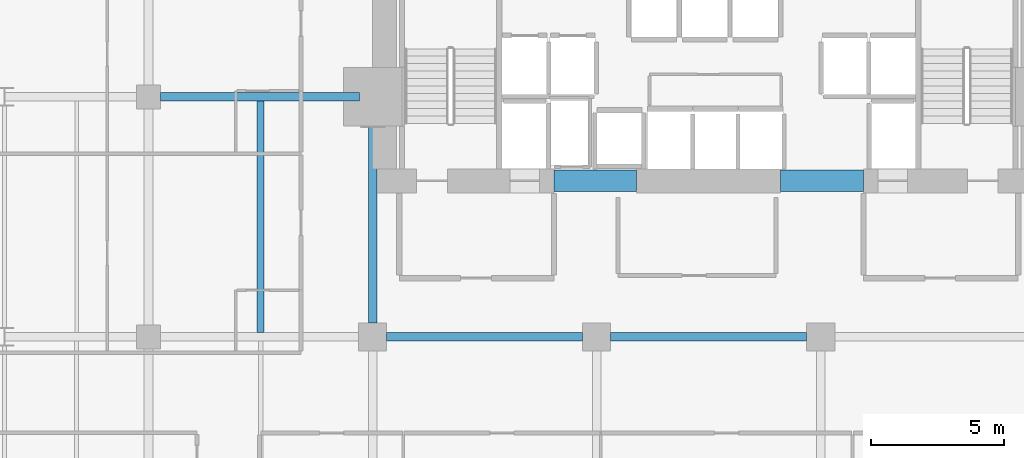
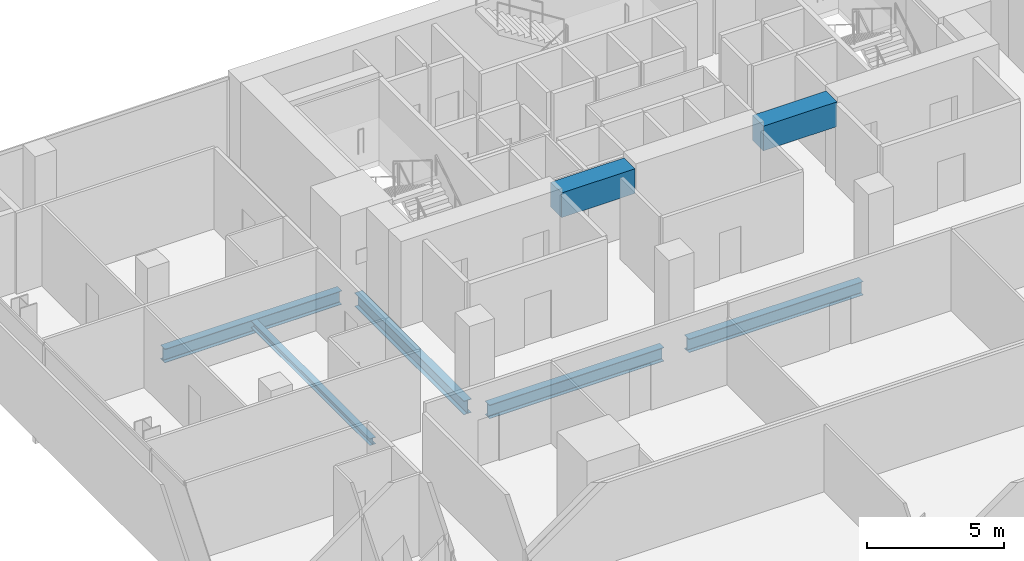
# One storey, part 24 of 40: 7 beams.
"""IFC4 building model written with IfcOpenShell, lengths in metres."""

from ifc_helpers import new_model, si_unit, direction, frame, origin, origin_2d, place, context, subcontext, project, spatial, rectangle, i_section, extrude, material, material_profile, profile_set, type_object, element, save


model = new_model("IFC4")

# Units and contexts
model_context = context("Model", 3, precision=1e-05, world=origin(), true_north=direction((0.0, 1.0)))
body_context = subcontext(model_context, "Body", "Model", "MODEL_VIEW")
ifc_project = project(units=[si_unit("LENGTHUNIT", "METRE"), si_unit("AREAUNIT", "SQUARE_METRE"), si_unit("VOLUMEUNIT", "CUBIC_METRE"), si_unit("PLANEANGLEUNIT", "RADIAN"), si_unit("MASSUNIT", "GRAM", prefix="KILO")], contexts=[model_context])

# Site, building, storey
site_placement = place(None, origin())
site = spatial("IfcSite", under=ifc_project, at=site_placement, CompositionType="ELEMENT")
building_placement = place(site_placement, origin())
building = spatial("IfcBuilding", under=site, at=building_placement, Name="Maruvema Waterfront Hotel and Observation Tower", CompositionType="ELEMENT")
storey_placement = place(building_placement, frame((0.0, 0.0, 100.10009765625)))
storey = spatial("IfcBuildingStorey", under=building, at=storey_placement, Name="L24", CompositionType="ELEMENT", Elevation=100.10009765625)

# Beams
ifc_material_1 = material(Name="Concrete C60/75", Category="concrete")
ifc_material_profile_1 = material_profile(ifc_material_1, rectangle(XDim=0.800048828125, YDim=1.10009765625, at=origin_2d()), Name="CB800x1100")
ifc_profile_set_1 = profile_set([ifc_material_profile_1], Name="Concrete C60/75")
beam_type_1 = type_object("IfcBeamType", Name="Core Coupling Lintel Beam CB800x1100", PredefinedType="LINTEL", material=ifc_profile_set_1)
for number, where, z_axis, x_axis, name in (
    (1, (32.0, 41.85009765625, 3.059814453125), (1.0, 0.0, 0.0), (0.0, 1.0, 0.0), "L24 Core Coupling Lintel Beam West"),
    (2, (40.5, 41.85009765625, 3.059814453125), (1.0, 0.0, 0.0), (0.0, 1.0, 0.0), "L24 Core Coupling Lintel Beam East"),
):
    element("IfcBeam", number, at=place(storey_placement, frame(where, z_axis=z_axis, x_axis=x_axis)), inside=storey, type_object=beam_type_1, Name=name, PredefinedType="LINTEL", context=body_context, shape_type="SweptSolid", body=[
        extrude(rectangle(XDim=0.800048828125, YDim=1.10009765625, at=origin_2d()), origin(), (0.0, 0.0, 1.0), 3.10009765625),
    ])
ifc_material_2 = material(Name="Steel ASTM A572 Grade 50", Category="steel")
ifc_material_profile_2 = material_profile(ifc_material_2, i_section(OverallWidth=0.323974609375, OverallDepth=0.611083984375, WebThickness=0.0126953125, FlangeThickness=0.01904296875, FilletRadius=0.01806640625, at=origin_2d()), Name="W610x155.0")
ifc_profile_set_2 = profile_set([ifc_material_profile_2], Name="Steel ASTM A572 Grade 50")
beam_type_2 = type_object("IfcBeamType", Name="Primary Floor Girder W610x155.0", PredefinedType="BEAM", material=ifc_profile_set_2)
beam_1_placement = place(storey_placement, frame((25.72509765625, 36.0, -0.545654296875), z_axis=(1.0, 0.0, 0.0), x_axis=(0.0, 1.0, 0.0)))
element("IfcBeam", 3, at=beam_1_placement, inside=storey, type_object=beam_type_2, Name="L24 Floor Girder EW-27", PredefinedType="BEAM", context=body_context, shape_type="SweptSolid", body=[
    extrude(i_section(OverallWidth=0.323974609375, OverallDepth=0.611083984375, WebThickness=0.0126953125, FlangeThickness=0.01904296875, FilletRadius=0.01806640625, at=origin_2d()), origin(), (0.0, 0.0, 1.0), 7.349853515625),
])
beam_2_placement = place(storey_placement, frame((34.125, 36.0, -0.545654296875), z_axis=(1.0, 0.0, 0.0), x_axis=(0.0, 1.0, 0.0)))
element("IfcBeam", 4, at=beam_2_placement, inside=storey, type_object=beam_type_2, Name="L24 Floor Girder EW-28", PredefinedType="BEAM", context=body_context, shape_type="SweptSolid", body=[
    extrude(i_section(OverallWidth=0.323974609375, OverallDepth=0.611083984375, WebThickness=0.0126953125, FlangeThickness=0.01904296875, FilletRadius=0.01806640625, at=origin_2d()), origin(), (0.0, 0.0, 1.0), 7.35009765625),
])
beam_3_placement = place(storey_placement, frame((17.25, 45.0, -0.545654296875), z_axis=(1.0, 0.0, 0.0), x_axis=(0.0, 1.0, 0.0)))
element("IfcBeam", 5, at=beam_3_placement, inside=storey, type_object=beam_type_2, Name="L24 Floor Girder EW-33", PredefinedType="BEAM", context=body_context, shape_type="SweptSolid", body=[
    extrude(i_section(OverallWidth=0.323974609375, OverallDepth=0.611083984375, WebThickness=0.0126953125, FlangeThickness=0.01904296875, FilletRadius=0.01806640625, at=origin_2d()), origin(), (0.0, 0.0, 1.0), 7.449951171875),
])
beam_4_placement = place(storey_placement, frame((25.199951171875, 36.52490234375, -0.545654296875), z_axis=(0.0, 1.0, 0.0), x_axis=(-1.0, 0.0, 0.0)))
element("IfcBeam", 6, at=beam_4_placement, inside=storey, type_object=beam_type_2, Name="L24 Floor Girder NS-15", PredefinedType="BEAM", context=body_context, shape_type="SweptSolid", body=[
    extrude(i_section(OverallWidth=0.323974609375, OverallDepth=0.611083984375, WebThickness=0.0126953125, FlangeThickness=0.01904296875, FilletRadius=0.01806640625, at=origin_2d()), origin(), (0.0, 0.0, 1.0), 7.97509765625),
])
ifc_material_3 = material(Name="Steel ASTM A572 Grade 50", Category="steel")
ifc_material_profile_3 = material_profile(ifc_material_3, i_section(OverallWidth=0.25390625, OverallDepth=0.305908203125, WebThickness=0.0087890625, FlangeThickness=0.0146484375, FilletRadius=0.014892578125, at=origin_2d()), Name="W310x79.0")
ifc_profile_set_3 = profile_set([ifc_material_profile_3], Name="Steel ASTM A572 Grade 50")
beam_type_3 = type_object("IfcBeamType", Name="Secondary Floor Joist W310x79.0", PredefinedType="JOIST", material=ifc_profile_set_3)
beam_5_placement = place(storey_placement, frame((21.0, 36.162109375, -0.39306640625), z_axis=(0.0, 1.0, 0.0), x_axis=(-1.0, 0.0, 0.0)))
element("IfcBeam", 7, at=beam_5_placement, inside=storey, type_object=beam_type_3, Name="L24 Secondary Floor Joist JS-09", PredefinedType="JOIST", context=body_context, shape_type="SweptSolid", body=[
    extrude(i_section(OverallWidth=0.25390625, OverallDepth=0.305908203125, WebThickness=0.0087890625, FlangeThickness=0.0146484375, FilletRadius=0.014892578125, at=origin_2d()), origin(), (0.0, 0.0, 1.0), 8.67578125),
])

save(model, "model.ifc")
